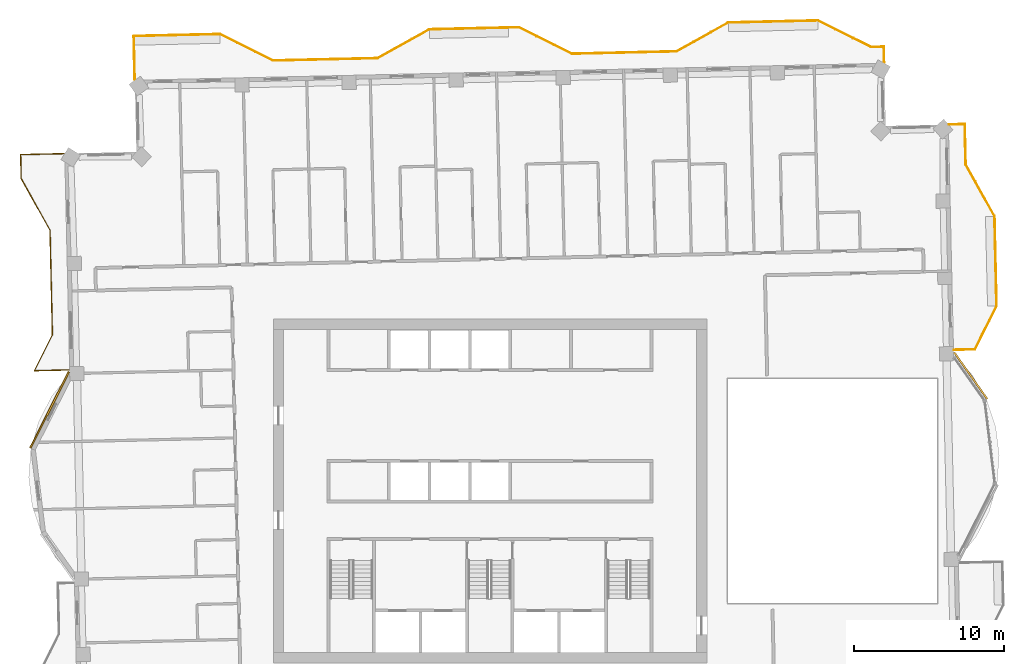
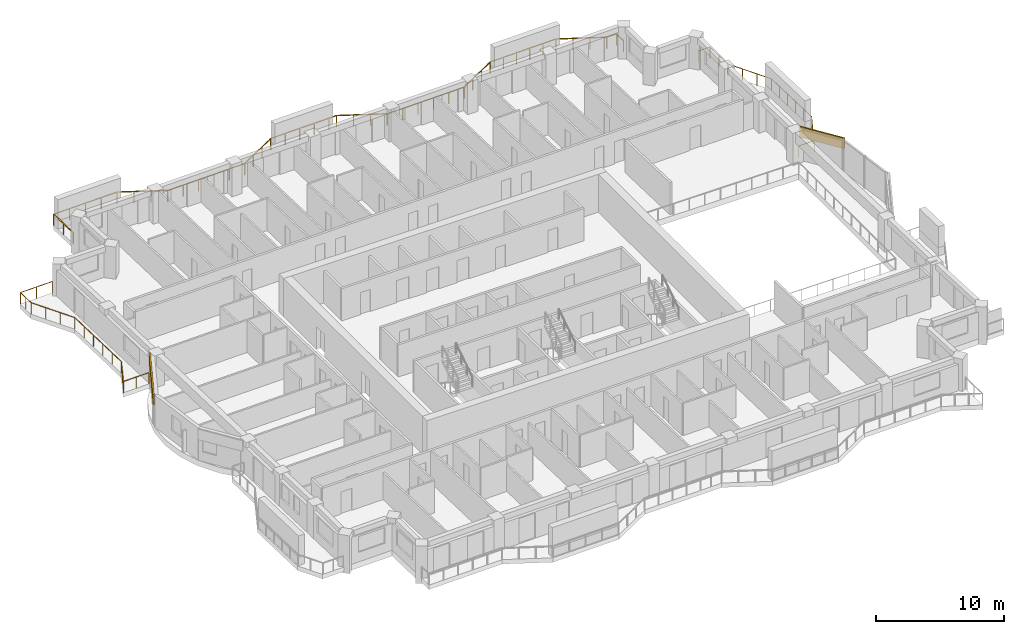
# One storey, part 18 of 18: 3 railings, 2 coverings.
"""IFC4 building model written with IfcOpenShell, lengths in metres."""

from ifc_helpers import new_model, si_unit, direction, frame, frame_2d, origin, origin_2d, place, context, subcontext, project, spatial, rectangle, extrude, material, layer, layer_set, type_object, element, save


model = new_model("IFC4")

# Units and contexts
model_context = context("Model", 3, precision=1e-05, world=origin(), true_north=direction((0.0, 1.0)))
body_context = subcontext(model_context, "Body", "Model", "MODEL_VIEW")
ifc_project = project(units=[si_unit("LENGTHUNIT", "METRE"), si_unit("AREAUNIT", "SQUARE_METRE"), si_unit("VOLUMEUNIT", "CUBIC_METRE"), si_unit("PLANEANGLEUNIT", "RADIAN"), si_unit("MASSUNIT", "GRAM", prefix="KILO")], contexts=[model_context])

# Site, building, storey
site_placement = place(None, origin())
site = spatial("IfcSite", under=ifc_project, at=site_placement, CompositionType="ELEMENT")
building_placement = place(site_placement, origin())
building = spatial("IfcBuilding", under=site, at=building_placement, Name="Mangrove Gate Tower", CompositionType="ELEMENT")
storey_placement = place(building_placement, frame((0.0, 0.0, 290.699951171875)))
storey = spatial("IfcBuildingStorey", under=building, at=storey_placement, Name="L74", CompositionType="ELEMENT", Elevation=290.699951171875)

# Railings
ifc_material_1 = material(Name="Stainless steel grade 316 with laminated glass infill", Category="steel")
railing_type = type_object("IfcRailingType", Name="Balcony guard 1100", PredefinedType="GUARDRAIL", material=ifc_material_1)
railing_1_placement = place(storey_placement, frame((31.0390625, 9.445068359375, 0.0)))
element("IfcRailing", 1, at=railing_1_placement, inside=storey, type_object=railing_type, Name="GUARD L74 E2", PredefinedType="GUARDRAIL", context=body_context, shape_type="SweptSolid", body=[
    extrude(rectangle(XDim=0.048095703125, YDim=0.048095703125, at=origin_2d()), frame((0.0, 0.0, 1.076171875), z_axis=(0.999735358589, 0.023004625325, 0.0), x_axis=(-0.023004625325, 0.999735358589, 0.0)), (0.0, 0.0, 1.0), 1.390380859375),
    extrude(rectangle(XDim=0.048095703125, YDim=0.048095703125, at=origin_2d()), frame((1.389892578125, 0.031982421875, 1.076171875), z_axis=(0.447243631758, 0.894412172241, 0.0), x_axis=(-0.894412172241, 0.447243631758, 0.0)), (0.0, 0.0, 1.0), 3.251220703125),
    extrude(rectangle(XDim=0.048095703125, YDim=0.048095703125, at=origin_2d()), frame((2.843994140625, 2.93994140625, 1.076171875), z_axis=(-0.022662255828, 0.999743178102, 0.0), x_axis=(-0.999743178102, -0.022662255828, 0.0)), (0.0, 0.0, 1.0), 6.00048828125),
    extrude(rectangle(XDim=0.048095703125, YDim=0.048095703125, at=origin_2d()), frame((2.7080078125, 8.93896484375, 1.076171875), z_axis=(-0.48726008209, 0.87325689943, 0.0), x_axis=(-0.87325689943, -0.48726008209, 0.0)), (0.0, 0.0, 1.0), 3.958740234375),
    extrude(rectangle(XDim=0.048095703125, YDim=0.048095703125, at=origin_2d()), frame((0.779052734375, 12.39599609375, 1.076171875), z_axis=(-0.022969966847, 0.999736155505, 0.0), x_axis=(-0.999736155505, -0.022969966847, 0.0)), (0.0, 0.0, 1.0), 2.69970703125),
    extrude(rectangle(XDim=0.048095703125, YDim=0.048095703125, at=origin_2d()), frame((0.717041015625, 15.094970703125, 1.076171875), z_axis=(-0.999744919731, -0.022585293253, 0.0), x_axis=(0.022585293253, -0.999744919731, 0.0)), (0.0, 0.0, 1.0), 1.059326171875),
    extrude(rectangle(XDim=0.0419921875, YDim=0.0419921875, at=origin_2d()), origin(), (0.0, 0.0, 1.0), 1.052001953125),
    extrude(rectangle(XDim=0.0419921875, YDim=0.0419921875, at=origin_2d()), frame((1.389892578125, 0.031982421875, 0.0)), (0.0, 0.0, 1.0), 1.052001953125),
    extrude(rectangle(XDim=0.0419921875, YDim=0.0419921875, at=origin_2d()), frame((1.87451171875, 1.001220703125, 0.0)), (0.0, 0.0, 1.0), 1.052001953125),
    extrude(rectangle(XDim=0.0419921875, YDim=0.0419921875, at=origin_2d()), frame((2.359375, 1.970703125, 0.0)), (0.0, 0.0, 1.0), 1.052001953125),
    extrude(rectangle(XDim=0.0419921875, YDim=0.0419921875, at=origin_2d()), frame((2.843994140625, 2.93994140625, 0.0)), (0.0, 0.0, 1.0), 1.052001953125),
    extrude(rectangle(XDim=0.0419921875, YDim=0.0419921875, at=origin_2d()), frame((2.81689453125, 4.1396484375, 0.0)), (0.0, 0.0, 1.0), 1.052001953125),
    extrude(rectangle(XDim=0.0419921875, YDim=0.0419921875, at=origin_2d()), frame((2.78955078125, 5.339599609375, 0.0)), (0.0, 0.0, 1.0), 1.052001953125),
    extrude(rectangle(XDim=0.0419921875, YDim=0.0419921875, at=origin_2d()), frame((2.762451171875, 6.539306640625, 0.0)), (0.0, 0.0, 1.0), 1.052001953125),
    extrude(rectangle(XDim=0.0419921875, YDim=0.0419921875, at=origin_2d()), frame((2.735107421875, 7.7392578125, 0.0)), (0.0, 0.0, 1.0), 1.052001953125),
    extrude(rectangle(XDim=0.0419921875, YDim=0.0419921875, at=origin_2d()), frame((2.7080078125, 8.93896484375, 0.0)), (0.0, 0.0, 1.0), 1.052001953125),
    extrude(rectangle(XDim=0.0419921875, YDim=0.0419921875, at=origin_2d()), frame((2.06494140625, 10.09130859375, 0.0)), (0.0, 0.0, 1.0), 1.052001953125),
    extrude(rectangle(XDim=0.0419921875, YDim=0.0419921875, at=origin_2d()), frame((1.422119140625, 11.24365234375, 0.0)), (0.0, 0.0, 1.0), 1.052001953125),
    extrude(rectangle(XDim=0.0419921875, YDim=0.0419921875, at=origin_2d()), frame((0.779052734375, 12.39599609375, 0.0)), (0.0, 0.0, 1.0), 1.052001953125),
    extrude(rectangle(XDim=0.0419921875, YDim=0.0419921875, at=origin_2d()), frame((0.748046875, 13.74560546875, 0.0)), (0.0, 0.0, 1.0), 1.052001953125),
    extrude(rectangle(XDim=0.0419921875, YDim=0.0419921875, at=origin_2d()), frame((0.717041015625, 15.094970703125, 0.0)), (0.0, 0.0, 1.0), 1.052001953125),
    extrude(rectangle(XDim=0.0419921875, YDim=0.0419921875, at=origin_2d()), frame((-0.342041015625, 15.071044921875, 0.0)), (0.0, 0.0, 1.0), 1.052001953125),
])
railing_2_placement = place(storey_placement, frame((26.362060546875, 28.658935546875, 0.0)))
element("IfcRailing", 2, at=railing_2_placement, inside=storey, type_object=railing_type, Name="GUARD L74 N1", PredefinedType="GUARDRAIL", context=body_context, shape_type="SweptSolid", body=[
    extrude(rectangle(XDim=0.048095703125, YDim=0.048095703125, at=origin_2d()), frame((0.0, 0.0, 1.076171875), z_axis=(-0.022815636067, 0.999739689495, 0.0), x_axis=(-0.999739689495, -0.022815636067, 0.0)), (0.0, 0.0, 1.0), 1.059326171875),
    extrude(rectangle(XDim=0.048095703125, YDim=0.048095703125, at=origin_2d()), frame((-0.024169921875, 1.05908203125, 1.076171875), z_axis=(-0.999759384705, -0.021935648947, 0.0), x_axis=(0.021935648947, -0.999759384705, 0.0)), (0.0, 0.0, 1.0), 0.8681640625),
    extrude(rectangle(XDim=0.048095703125, YDim=0.048095703125, at=origin_2d()), frame((-0.89208984375, 1.0400390625, 1.076171875), z_axis=(-0.894476522376, 0.447114919141, 0.0), x_axis=(-0.447114919141, -0.894476522376, 0.0)), (0.0, 0.0, 1.0), 3.958740234375),
    extrude(rectangle(XDim=0.048095703125, YDim=0.048095703125, at=origin_2d()), frame((-4.43310546875, 2.81005859375, 1.076171875), z_axis=(-0.999743178102, -0.022662255828, 0.0), x_axis=(0.022662255828, -0.999743178102, 0.0)), (0.0, 0.0, 1.0), 6.00048828125),
    extrude(rectangle(XDim=0.048095703125, YDim=0.048095703125, at=origin_2d()), frame((-10.43212890625, 2.674072265625, 1.076171875), z_axis=(-0.87325689943, -0.48726008209, 0.0), x_axis=(0.48726008209, -0.87325689943, 0.0)), (0.0, 0.0, 1.0), 3.958740234375),
    extrude(rectangle(XDim=0.048095703125, YDim=0.048095703125, at=origin_2d()), frame((-13.88916015625, 0.7451171875, 1.076171875), z_axis=(-0.999742177561, -0.022706351659, 0.0), x_axis=(0.022706351659, -0.999742177561, 0.0)), (0.0, 0.0, 1.0), 6.99951171875),
    extrude(rectangle(XDim=0.048095703125, YDim=0.048095703125, at=origin_2d()), frame((-20.886962890625, 0.586181640625, 1.076171875), z_axis=(-0.894501186021, 0.447065574839, 0.0), x_axis=(-0.447065574839, -0.894501186021, 0.0)), (0.0, 0.0, 1.0), 3.958740234375),
    extrude(rectangle(XDim=0.048095703125, YDim=0.048095703125, at=origin_2d()), frame((-24.427978515625, 2.35595703125, 1.076171875), z_axis=(-0.99974327323, -0.022658058842, 0.0), x_axis=(0.022658058842, -0.99974327323, 0.0)), (0.0, 0.0, 1.0), 0.700439453125),
    extrude(rectangle(XDim=0.048095703125, YDim=0.048095703125, at=origin_2d()), frame((-25.128173828125, 2.340087890625, 1.076171875), z_axis=(-0.999743070872, -0.022666985754, 0.0), x_axis=(0.022666985754, -0.999743070872, 0.0)), (0.0, 0.0, 1.0), 5.29931640625),
    extrude(rectangle(XDim=0.048095703125, YDim=0.048095703125, at=origin_2d()), frame((-30.426025390625, 2.219970703125, 1.076171875), z_axis=(-0.873315448515, -0.487155136876, 0.0), x_axis=(0.487155136876, -0.873315448515, 0.0)), (0.0, 0.0, 1.0), 3.959716796875),
    extrude(rectangle(XDim=0.048095703125, YDim=0.048095703125, at=origin_2d()), frame((-33.884033203125, 0.291015625, 1.076171875), z_axis=(-0.999742195543, -0.022705559911, 0.0), x_axis=(0.022705559911, -0.999742195543, 0.0)), (0.0, 0.0, 1.0), 6.999755859375),
    extrude(rectangle(XDim=0.048095703125, YDim=0.048095703125, at=origin_2d()), frame((-40.882080078125, 0.132080078125, 1.076171875), z_axis=(-0.894476522376, 0.447114919141, 0.0), x_axis=(-0.447114919141, -0.894476522376, 0.0)), (0.0, 0.0, 1.0), 3.958740234375),
    extrude(rectangle(XDim=0.048095703125, YDim=0.048095703125, at=origin_2d()), frame((-44.423095703125, 1.902099609375, 1.076171875), z_axis=(-0.999745428899, -0.022562743515, 0.0), x_axis=(0.022562743515, -0.999745428899, 0.0)), (0.0, 0.0, 1.0), 5.767333984375),
    extrude(rectangle(XDim=0.048095703125, YDim=0.048095703125, at=origin_2d()), frame((-50.18896484375, 1.77197265625, 1.076171875), z_axis=(0.02231175287, -0.999751061857, 0.0), x_axis=(0.999751061857, 0.02231175287, 0.0)), (0.0, 0.0, 1.0), 2.91064453125),
    extrude(rectangle(XDim=0.0419921875, YDim=0.0419921875, at=origin_2d()), origin(), (0.0, 0.0, 1.0), 1.052001953125),
    extrude(rectangle(XDim=0.0419921875, YDim=0.0419921875, at=origin_2d()), frame((-0.024169921875, 1.05908203125, 0.0)), (0.0, 0.0, 1.0), 1.052001953125),
    extrude(rectangle(XDim=0.0419921875, YDim=0.0419921875, at=origin_2d()), frame((-0.89208984375, 1.0400390625, 0.0)), (0.0, 0.0, 1.0), 1.052001953125),
    extrude(rectangle(XDim=0.0419921875, YDim=0.0419921875, at=origin_2d()), frame((-2.072509765625, 1.630126953125, 0.0)), (0.0, 0.0, 1.0), 1.052001953125),
    extrude(rectangle(XDim=0.0419921875, YDim=0.0419921875, at=origin_2d()), frame((-3.252685546875, 2.219970703125, 0.0)), (0.0, 0.0, 1.0), 1.052001953125),
    extrude(rectangle(XDim=0.0419921875, YDim=0.0419921875, at=origin_2d()), frame((-4.43310546875, 2.81005859375, 0.0)), (0.0, 0.0, 1.0), 1.052001953125),
    extrude(rectangle(XDim=0.0419921875, YDim=0.0419921875, at=origin_2d()), frame((-5.6328125, 2.782958984375, 0.0)), (0.0, 0.0, 1.0), 1.052001953125),
    extrude(rectangle(XDim=0.0419921875, YDim=0.0419921875, at=origin_2d()), frame((-6.832763671875, 2.755615234375, 0.0)), (0.0, 0.0, 1.0), 1.052001953125),
    extrude(rectangle(XDim=0.0419921875, YDim=0.0419921875, at=origin_2d()), frame((-8.032470703125, 2.728515625, 0.0)), (0.0, 0.0, 1.0), 1.052001953125),
    extrude(rectangle(XDim=0.0419921875, YDim=0.0419921875, at=origin_2d()), frame((-9.232421875, 2.701171875, 0.0)), (0.0, 0.0, 1.0), 1.052001953125),
    extrude(rectangle(XDim=0.0419921875, YDim=0.0419921875, at=origin_2d()), frame((-10.43212890625, 2.674072265625, 0.0)), (0.0, 0.0, 1.0), 1.052001953125),
    extrude(rectangle(XDim=0.0419921875, YDim=0.0419921875, at=origin_2d()), frame((-11.58447265625, 2.031005859375, 0.0)), (0.0, 0.0, 1.0), 1.052001953125),
    extrude(rectangle(XDim=0.0419921875, YDim=0.0419921875, at=origin_2d()), frame((-12.73681640625, 1.38818359375, 0.0)), (0.0, 0.0, 1.0), 1.052001953125),
    extrude(rectangle(XDim=0.0419921875, YDim=0.0419921875, at=origin_2d()), frame((-13.88916015625, 0.7451171875, 0.0)), (0.0, 0.0, 1.0), 1.052001953125),
    extrude(rectangle(XDim=0.0419921875, YDim=0.0419921875, at=origin_2d()), frame((-15.288818359375, 0.71337890625, 0.0)), (0.0, 0.0, 1.0), 1.052001953125),
    extrude(rectangle(XDim=0.0419921875, YDim=0.0419921875, at=origin_2d()), frame((-16.688232421875, 0.681640625, 0.0)), (0.0, 0.0, 1.0), 1.052001953125),
    extrude(rectangle(XDim=0.0419921875, YDim=0.0419921875, at=origin_2d()), frame((-18.087890625, 0.649658203125, 0.0)), (0.0, 0.0, 1.0), 1.052001953125),
    extrude(rectangle(XDim=0.0419921875, YDim=0.0419921875, at=origin_2d()), frame((-19.4873046875, 0.617919921875, 0.0)), (0.0, 0.0, 1.0), 1.052001953125),
    extrude(rectangle(XDim=0.0419921875, YDim=0.0419921875, at=origin_2d()), frame((-20.886962890625, 0.586181640625, 0.0)), (0.0, 0.0, 1.0), 1.052001953125),
    extrude(rectangle(XDim=0.0419921875, YDim=0.0419921875, at=origin_2d()), frame((-22.0673828125, 1.176025390625, 0.0)), (0.0, 0.0, 1.0), 1.052001953125),
    extrude(rectangle(XDim=0.0419921875, YDim=0.0419921875, at=origin_2d()), frame((-23.24755859375, 1.76611328125, 0.0)), (0.0, 0.0, 1.0), 1.052001953125),
    extrude(rectangle(XDim=0.0419921875, YDim=0.0419921875, at=origin_2d()), frame((-24.427978515625, 2.35595703125, 0.0)), (0.0, 0.0, 1.0), 1.052001953125),
    extrude(rectangle(XDim=0.0419921875, YDim=0.0419921875, at=origin_2d()), frame((-25.128173828125, 2.340087890625, 0.0)), (0.0, 0.0, 1.0), 1.052001953125),
    extrude(rectangle(XDim=0.0419921875, YDim=0.0419921875, at=origin_2d()), frame((-26.45263671875, 2.31005859375, 0.0)), (0.0, 0.0, 1.0), 1.052001953125),
    extrude(rectangle(XDim=0.0419921875, YDim=0.0419921875, at=origin_2d()), frame((-27.777099609375, 2.280029296875, 0.0)), (0.0, 0.0, 1.0), 1.052001953125),
    extrude(rectangle(XDim=0.0419921875, YDim=0.0419921875, at=origin_2d()), frame((-29.1015625, 2.25, 0.0)), (0.0, 0.0, 1.0), 1.052001953125),
    extrude(rectangle(XDim=0.0419921875, YDim=0.0419921875, at=origin_2d()), frame((-30.426025390625, 2.219970703125, 0.0)), (0.0, 0.0, 1.0), 1.052001953125),
    extrude(rectangle(XDim=0.0419921875, YDim=0.0419921875, at=origin_2d()), frame((-31.57861328125, 1.576904296875, 0.0)), (0.0, 0.0, 1.0), 1.052001953125),
    extrude(rectangle(XDim=0.0419921875, YDim=0.0419921875, at=origin_2d()), frame((-32.7314453125, 0.93408203125, 0.0)), (0.0, 0.0, 1.0), 1.052001953125),
    extrude(rectangle(XDim=0.0419921875, YDim=0.0419921875, at=origin_2d()), frame((-33.884033203125, 0.291015625, 0.0)), (0.0, 0.0, 1.0), 1.052001953125),
    extrude(rectangle(XDim=0.0419921875, YDim=0.0419921875, at=origin_2d()), frame((-35.28369140625, 0.25927734375, 0.0)), (0.0, 0.0, 1.0), 1.052001953125),
    extrude(rectangle(XDim=0.0419921875, YDim=0.0419921875, at=origin_2d()), frame((-36.683349609375, 0.2275390625, 0.0)), (0.0, 0.0, 1.0), 1.052001953125),
    extrude(rectangle(XDim=0.0419921875, YDim=0.0419921875, at=origin_2d()), frame((-38.082763671875, 0.195556640625, 0.0)), (0.0, 0.0, 1.0), 1.052001953125),
    extrude(rectangle(XDim=0.0419921875, YDim=0.0419921875, at=origin_2d()), frame((-39.482421875, 0.163818359375, 0.0)), (0.0, 0.0, 1.0), 1.052001953125),
    extrude(rectangle(XDim=0.0419921875, YDim=0.0419921875, at=origin_2d()), frame((-40.882080078125, 0.132080078125, 0.0)), (0.0, 0.0, 1.0), 1.052001953125),
    extrude(rectangle(XDim=0.0419921875, YDim=0.0419921875, at=origin_2d()), frame((-42.0625, 0.72216796875, 0.0)), (0.0, 0.0, 1.0), 1.052001953125),
    extrude(rectangle(XDim=0.0419921875, YDim=0.0419921875, at=origin_2d()), frame((-43.24267578125, 1.31201171875, 0.0)), (0.0, 0.0, 1.0), 1.052001953125),
    extrude(rectangle(XDim=0.0419921875, YDim=0.0419921875, at=origin_2d()), frame((-44.423095703125, 1.902099609375, 0.0)), (0.0, 0.0, 1.0), 1.052001953125),
    extrude(rectangle(XDim=0.0419921875, YDim=0.0419921875, at=origin_2d()), frame((-45.864501953125, 1.86962890625, 0.0)), (0.0, 0.0, 1.0), 1.052001953125),
    extrude(rectangle(XDim=0.0419921875, YDim=0.0419921875, at=origin_2d()), frame((-47.30615234375, 1.8369140625, 0.0)), (0.0, 0.0, 1.0), 1.052001953125),
    extrude(rectangle(XDim=0.0419921875, YDim=0.0419921875, at=origin_2d()), frame((-48.74755859375, 1.804443359375, 0.0)), (0.0, 0.0, 1.0), 1.052001953125),
    extrude(rectangle(XDim=0.0419921875, YDim=0.0419921875, at=origin_2d()), frame((-50.18896484375, 1.77197265625, 0.0)), (0.0, 0.0, 1.0), 1.052001953125),
    extrude(rectangle(XDim=0.0419921875, YDim=0.0419921875, at=origin_2d()), frame((-50.156494140625, 0.31689453125, 0.0)), (0.0, 0.0, 1.0), 1.052001953125),
    extrude(rectangle(XDim=0.0419921875, YDim=0.0419921875, at=origin_2d()), frame((-50.1240234375, -1.137939453125, 0.0)), (0.0, 0.0, 1.0), 1.052001953125),
])
railing_3_placement = place(storey_placement, frame((-28.489990234375, 22.572998046875, 0.0)))
element("IfcRailing", 3, at=railing_3_placement, inside=storey, type_object=railing_type, Name="GUARD L74 W1", PredefinedType="GUARDRAIL", context=body_context, shape_type="SweptSolid", body=[
    extrude(rectangle(XDim=0.048095703125, YDim=0.048095703125, at=origin_2d()), frame((0.0, 0.0, 1.076171875), z_axis=(-0.999743521605, -0.022647097142, 0.0), x_axis=(0.022647097142, -0.999743521605, 0.0)), (0.0, 0.0, 1.0), 2.91064453125),
    extrude(rectangle(XDim=0.048095703125, YDim=0.048095703125, at=origin_2d()), frame((-2.909912109375, -0.06591796875, 1.076171875), z_axis=(0.023033252917, -0.999734699438, 0.0), x_axis=(0.999734699438, 0.023033252917, 0.0)), (0.0, 0.0, 1.0), 1.6005859375),
    extrude(rectangle(XDim=0.048095703125, YDim=0.048095703125, at=origin_2d()), frame((-2.873046875, -1.666015625, 1.076171875), z_axis=(0.48726008209, -0.87325689943, 0.0), x_axis=(0.87325689943, 0.48726008209, 0.0)), (0.0, 0.0, 1.0), 3.958740234375),
    extrude(rectangle(XDim=0.048095703125, YDim=0.048095703125, at=origin_2d()), frame((-0.944091796875, -5.123046875, 1.076171875), z_axis=(0.022600979566, -0.999744565238, 0.0), x_axis=(0.999744565238, 0.022600979566, 0.0)), (0.0, 0.0, 1.0), 6.999755859375),
    extrude(rectangle(XDim=0.048095703125, YDim=0.048095703125, at=origin_2d()), frame((-0.785888671875, -12.12109375, 1.076171875), z_axis=(-0.447140888187, -0.894463540963, 0.0), x_axis=(0.894463540963, -0.447140888187, 0.0)), (0.0, 0.0, 1.0), 2.686279296875),
    extrude(rectangle(XDim=0.048095703125, YDim=0.048095703125, at=origin_2d()), frame((-1.987060546875, -14.52392578125, 1.076171875), z_axis=(0.999738230516, 0.022879476484, 0.0), x_axis=(-0.022879476484, 0.999738230516, 0.0)), (0.0, 0.0, 1.0), 2.3154296875),
    extrude(rectangle(XDim=0.0419921875, YDim=0.0419921875, at=origin_2d()), origin(), (0.0, 0.0, 1.0), 1.052001953125),
    extrude(rectangle(XDim=0.0419921875, YDim=0.0419921875, at=origin_2d()), frame((-1.455078125, -0.032958984375, 0.0)), (0.0, 0.0, 1.0), 1.052001953125),
    extrude(rectangle(XDim=0.0419921875, YDim=0.0419921875, at=origin_2d()), frame((-2.909912109375, -0.06591796875, 0.0)), (0.0, 0.0, 1.0), 1.052001953125),
    extrude(rectangle(XDim=0.0419921875, YDim=0.0419921875, at=origin_2d()), frame((-2.8916015625, -0.865966796875, 0.0)), (0.0, 0.0, 1.0), 1.052001953125),
    extrude(rectangle(XDim=0.0419921875, YDim=0.0419921875, at=origin_2d()), frame((-2.873046875, -1.666015625, 0.0)), (0.0, 0.0, 1.0), 1.052001953125),
    extrude(rectangle(XDim=0.0419921875, YDim=0.0419921875, at=origin_2d()), frame((-2.22998046875, -2.818359375, 0.0)), (0.0, 0.0, 1.0), 1.052001953125),
    extrude(rectangle(XDim=0.0419921875, YDim=0.0419921875, at=origin_2d()), frame((-1.587158203125, -3.970703125, 0.0)), (0.0, 0.0, 1.0), 1.052001953125),
    extrude(rectangle(XDim=0.0419921875, YDim=0.0419921875, at=origin_2d()), frame((-0.944091796875, -5.123046875, 0.0)), (0.0, 0.0, 1.0), 1.052001953125),
    extrude(rectangle(XDim=0.0419921875, YDim=0.0419921875, at=origin_2d()), frame((-0.912353515625, -6.522705078125, 0.0)), (0.0, 0.0, 1.0), 1.052001953125),
    extrude(rectangle(XDim=0.0419921875, YDim=0.0419921875, at=origin_2d()), frame((-0.880859375, -7.92236328125, 0.0)), (0.0, 0.0, 1.0), 1.052001953125),
    extrude(rectangle(XDim=0.0419921875, YDim=0.0419921875, at=origin_2d()), frame((-0.84912109375, -9.32177734375, 0.0)), (0.0, 0.0, 1.0), 1.052001953125),
    extrude(rectangle(XDim=0.0419921875, YDim=0.0419921875, at=origin_2d()), frame((-0.817626953125, -10.721435546875, 0.0)), (0.0, 0.0, 1.0), 1.052001953125),
    extrude(rectangle(XDim=0.0419921875, YDim=0.0419921875, at=origin_2d()), frame((-0.785888671875, -12.12109375, 0.0)), (0.0, 0.0, 1.0), 1.052001953125),
    extrude(rectangle(XDim=0.0419921875, YDim=0.0419921875, at=origin_2d()), frame((-1.386474609375, -13.322509765625, 0.0)), (0.0, 0.0, 1.0), 1.052001953125),
    extrude(rectangle(XDim=0.0419921875, YDim=0.0419921875, at=origin_2d()), frame((-1.987060546875, -14.52392578125, 0.0)), (0.0, 0.0, 1.0), 1.052001953125),
    extrude(rectangle(XDim=0.0419921875, YDim=0.0419921875, at=origin_2d()), frame((-0.82958984375, -14.49755859375, 0.0)), (0.0, 0.0, 1.0), 1.052001953125),
    extrude(rectangle(XDim=0.0419921875, YDim=0.0419921875, at=origin_2d()), frame((0.327880859375, -14.470947265625, 0.0)), (0.0, 0.0, 1.0), 1.052001953125),
])

# Coverings
ifc_material_2 = material(Name="Limestone", Category="masonry")
ifc_layer_1 = layer(ifc_material_2, 0.0400390625, Name="Limestone cladding")
ifc_material_3 = material(Name="Stainless steel anchors and cavity", Category="steel")
ifc_layer_2 = layer(ifc_material_3, 0.080078125, Name="Fixing cavity")
ifc_layer_set = layer_set([ifc_layer_1, ifc_layer_2], Name="Joint fascia cladding 120")
covering_type = type_object("IfcCoveringType", Name="Joint fascia cladding 120", PredefinedType="CLADDING", material=ifc_layer_set)
covering_1_placement = place(storey_placement, frame((33.25390625, 6.158935546875, 2.050048828125), z_axis=(0.0, 0.0, 1.0), x_axis=(-0.578168098379, 0.815917673553, 0.0)))
element("IfcCovering", 4, at=covering_1_placement, inside=storey, type_object=covering_type, Name="STONE FASCIA L74 E1.L2", PredefinedType="CLADDING", context=body_context, shape_type="SweptSolid", body=[
    extrude(rectangle(XDim=3.819091796875, YDim=0.1201171875, at=frame_2d((1.90966796875, 0.0))), origin(), (0.0, 0.0, 1.0), 1.0),
])
covering_2_placement = place(storey_placement, frame((-28.169677734375, 7.974609375, 2.050048828125), z_axis=(0.0, 0.0, 1.0), x_axis=(-0.452599154857, -0.891714082553, 0.0)))
element("IfcCovering", 5, at=covering_2_placement, inside=storey, type_object=covering_type, Name="STONE FASCIA L74 W9.L1", PredefinedType="CLADDING", context=body_context, shape_type="SweptSolid", body=[
    extrude(rectangle(XDim=5.703369140625, YDim=0.1201171875, at=frame_2d((2.8515625, 0.0))), origin(), (0.0, 0.0, 1.0), 1.0),
])

save(model, "model.ifc")
